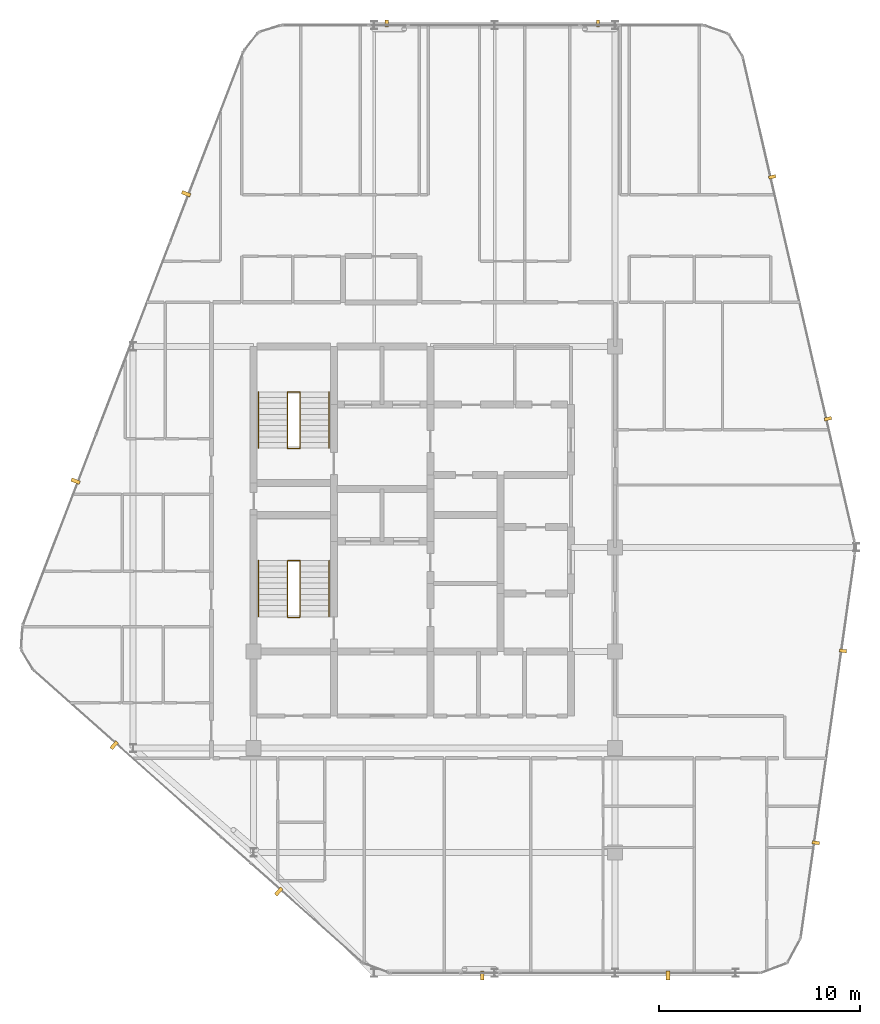
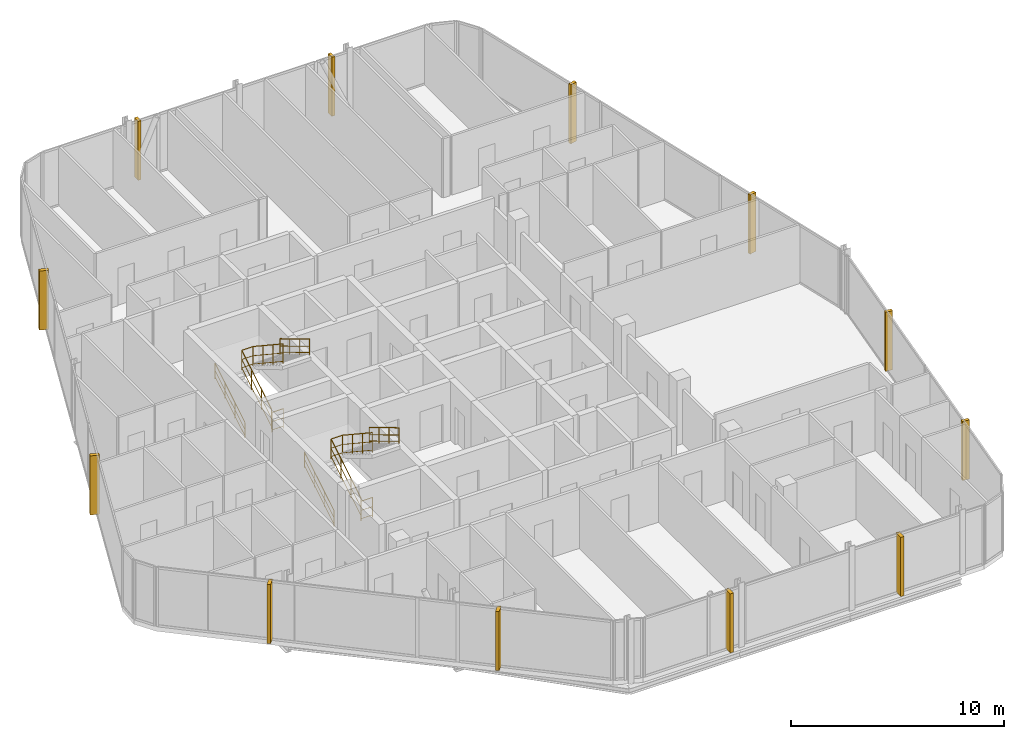
# One storey, part 27 of 27: 12 coverings, 8 railings.
"""IFC4 building model written with IfcOpenShell, lengths in metres."""

import ifcopenshell
import ifcopenshell.guid

model = None  # the IFC model being written
_history = None  # IfcOwnerHistory: only IFC2X3 demands one
_inside = {}  # id of a spatial element -> (the spatial element, [elements in it])
_under = {}  # id of a project, library or spatial element -> (it, [spatial elements below it])
_declared = {}  # id of a project -> (the project, [libraries it declares])
_typed = {}  # id of a type object -> (the type object, [elements of that type])
_made_of = {}  # id of a material, layer set ... -> (it, [elements and type objects made of it])


def new_model(schema):
    """Start an empty IFC model of exactly this schema.

    Asked for "IFC4X3", IfcOpenShell would pick the latest addendum, in which some entities
    have other attributes; the version numbers below select the first issue.
    IFC2X3 requires an IfcOwnerHistory on every rooted entity: one is made here for all.
    """
    global model, _history
    if schema == "IFC4X3":
        model = ifcopenshell.file(schema_version=(4, 3, 0, 0))
    else:
        model = ifcopenshell.file(schema=schema)
    _inside.clear()
    _under.clear()
    _declared.clear()
    _typed.clear()
    _made_of.clear()
    _history = None
    if model.schema == "IFC2X3":
        org = make("IfcOrganization", Name="unknown")
        user = make(
            "IfcPersonAndOrganization",
            ThePerson=make("IfcPerson", FamilyName="unknown"),
            TheOrganization=org,
        )
        app = make(
            "IfcApplication",
            ApplicationDeveloper=org,
            Version="unknown",
            ApplicationFullName="unknown",
            ApplicationIdentifier="unknown",
        )
        _history = make(
            "IfcOwnerHistory",
            OwningUser=user,
            OwningApplication=app,
            ChangeAction="ADDED",
            CreationDate=0,
        )
    return model


def make(cls, **values):
    """One entity of the class cls with the attributes given. An attribute that is None is left unset."""
    return model.create_entity(
        cls, **{name: value for name, value in values.items() if value is not None}
    )


def rooted(cls, **values):
    """An entity with a GlobalId (a new one), such as an element, a storey or a relation."""
    return make(cls, GlobalId=ifcopenshell.guid.new(), OwnerHistory=_history, **values)


def si_unit(unit_type, name, prefix=None):
    """IfcSIUnit, for example si_unit("LENGTHUNIT", "METRE", prefix="MILLI")."""
    return make("IfcSIUnit", UnitType=unit_type, Prefix=prefix, Name=name)


def assignment(units):
    """IfcUnitAssignment: the units of a project."""
    return None if units is None else make("IfcUnitAssignment", Units=units)


def point(xyz):
    """IfcCartesianPoint."""
    return None if xyz is None else make("IfcCartesianPoint", Coordinates=xyz)


def direction(xyz):
    """IfcDirection."""
    return None if xyz is None else make("IfcDirection", DirectionRatios=xyz)


def frame(location, z_axis=None, x_axis=None):
    """IfcAxis2Placement3D, a coordinate frame: its origin and axes. An axis left out is left unset."""
    return make(
        "IfcAxis2Placement3D",
        Location=point(location),
        Axis=direction(z_axis),
        RefDirection=direction(x_axis),
    )


def frame_2d(location, x_axis=None):
    """IfcAxis2Placement2D, a coordinate frame in the plane: its origin and x axis."""
    return make(
        "IfcAxis2Placement2D", Location=point(location), RefDirection=direction(x_axis)
    )


def origin():
    """The frame at (0, 0, 0) with its axes left unset."""
    return frame((0.0, 0.0, 0.0))


def origin_2d():
    """The frame at (0, 0) in the plane with its x axis left unset."""
    return frame_2d((0.0, 0.0))


def place(relative_to, where):
    """IfcLocalPlacement: puts the frame where relative to a parent placement (None: the world)."""
    return make(
        "IfcLocalPlacement", PlacementRelTo=relative_to, RelativePlacement=where
    )


def context(
    kind, dimensions, precision=None, world=None, true_north=None, identifier=None
):
    """IfcGeometricRepresentationContext, for example the 3D "Model" context."""
    return make(
        "IfcGeometricRepresentationContext",
        ContextIdentifier=identifier,
        ContextType=kind,
        CoordinateSpaceDimension=dimensions,
        Precision=precision,
        WorldCoordinateSystem=world,
        TrueNorth=true_north,
    )


def subcontext(parent, identifier, kind, view, scale=None):
    """IfcGeometricRepresentationSubContext, for example "Body" below "Model"."""
    return make(
        "IfcGeometricRepresentationSubContext",
        ContextIdentifier=identifier,
        ContextType=kind,
        ParentContext=parent,
        TargetScale=scale,
        TargetView=view,
    )


def project(units=None, contexts=None):
    """IfcProject with its units and contexts."""
    return rooted(
        "IfcProject",
        Name="project",
        RepresentationContexts=contexts,
        UnitsInContext=assignment(units),
    )


def spatial(cls, under=None, at=None, **own):
    """A site, building, storey or space (cls), placed at a placement, below another one or the project."""
    s = rooted(cls, ObjectPlacement=at, **own)
    if under is not None:
        _under.setdefault(under.id(), (under, []))[1].append(s)
    return s


def profile(cls, at=None, kind="AREA", **sizes):
    """A parametric profile (cls). Its sizes go by their IFC names, for example OverallWidth=200.0."""
    return make(cls, ProfileType=kind, Position=at, **sizes)


def rectangle(**sizes):
    """IfcRectangleProfileDef."""
    return profile("IfcRectangleProfileDef", **sizes)


def circle(**sizes):
    """IfcCircleProfileDef."""
    return profile("IfcCircleProfileDef", **sizes)


def extrude(swept, where, along, depth):
    """IfcExtrudedAreaSolid: the profile swept, set in the frame where, extruded along a direction by depth."""
    return make(
        "IfcExtrudedAreaSolid",
        SweptArea=swept,
        Position=where,
        ExtrudedDirection=direction(along),
        Depth=depth,
    )


def shape(context_of_items, identifier, shape_type, items):
    """IfcShapeRepresentation: the items that make up one representation, for example the "Body"."""
    return make(
        "IfcShapeRepresentation",
        ContextOfItems=context_of_items,
        RepresentationIdentifier=identifier,
        RepresentationType=shape_type,
        Items=items,
    )


def material(Name=None, Category=None):
    """IfcMaterial."""
    return make("IfcMaterial", Name=Name, Category=Category)


def layer(
    of_material, thickness, ventilated=None, Name=None, Category=None, Priority=None
):
    """IfcMaterialLayer: one layer of a wall or slab, of a material (None: an air gap)."""
    return make(
        "IfcMaterialLayer",
        Material=of_material,
        LayerThickness=thickness,
        IsVentilated=ventilated,
        Name=Name,
        Category=Category,
        Priority=Priority,
    )


def layer_set(layers, Name=None):
    """IfcMaterialLayerSet."""
    return make("IfcMaterialLayerSet", MaterialLayers=layers, LayerSetName=Name)


def made_of(thing, what):
    """Note that an element or type object is made of a material, layer set ...; save() writes the relation."""
    if what is not None:
        _made_of.setdefault(what.id(), (what, []))[1].append(thing)
    return thing


def type_object(cls, material=None, **own):
    """A type object (cls), such as IfcWallType, which elements share."""
    return made_of(rooted(cls, **own), material)


def element(
    cls,
    number,
    at=None,
    inside=None,
    cuts=None,
    type_object=None,
    material=None,
    context=None,
    identifier="Body",
    shape_type=None,
    held_by="IfcProductDefinitionShape",
    body=None,
    shapes=None,
    **own,
):
    """One element of the class cls, such as IfcWall. Its Tag is "e" and its number.

    at: its placement. inside: the storey or other place that contains it. cuts: it is an
    opening in that element (IfcRelVoidsElement). A single representation is given by context,
    identifier, shape_type and body (its items); several are given by shapes. held_by: the class
    of the entity that holds the representations. save() writes the other relations.
    """
    e = rooted(cls, Tag="e%d" % number, ObjectPlacement=at, **own)
    if body is not None:
        shapes = [shape(context, identifier, shape_type, body)]
    if shapes is not None:
        e.Representation = make(held_by, Representations=shapes)
    if inside is not None:
        _inside.setdefault(inside.id(), (inside, []))[1].append(e)
    if cuts is not None:
        rooted(
            "IfcRelVoidsElement", RelatingBuildingElement=cuts, RelatedOpeningElement=e
        )
    if type_object is not None:
        _typed.setdefault(type_object.id(), (type_object, []))[1].append(e)
    return made_of(e, material)


def aggregate(whole, parts):
    """IfcRelAggregates: a whole, such as a stair, and the parts it consists of."""
    return rooted("IfcRelAggregates", RelatingObject=whole, RelatedObjects=parts)


def save(model, path):
    """Write the relations noted so far, then the file.

    IfcRelAggregates (storeys below a building ...), IfcRelContainedInSpatialStructure (elements
    in a storey), IfcRelDefinesByType, IfcRelAssociatesMaterial and IfcRelDeclares: one each for
    every whole, place, type object, material and project.
    """
    for whole, parts in _under.values():
        aggregate(whole, parts)
    for where, things in _inside.values():
        rooted(
            "IfcRelContainedInSpatialStructure",
            RelatedElements=things,
            RelatingStructure=where,
        )
    for kind, things in _typed.values():
        rooted("IfcRelDefinesByType", RelatedObjects=things, RelatingType=kind)
    for what, things in _made_of.values():
        rooted("IfcRelAssociatesMaterial", RelatedObjects=things, RelatingMaterial=what)
    for by, libraries in _declared.values():
        rooted("IfcRelDeclares", RelatingContext=by, RelatedDefinitions=libraries)
    model.write(path)


model = new_model("IFC4")

# Units and contexts
model_context = context("Model", 3, precision=1e-05, world=origin(), true_north=direction((0.0, 1.0)))
body_context = subcontext(model_context, "Body", "Model", "MODEL_VIEW")
ifc_project = project(units=[si_unit("LENGTHUNIT", "METRE"), si_unit("AREAUNIT", "SQUARE_METRE"), si_unit("VOLUMEUNIT", "CUBIC_METRE"), si_unit("PLANEANGLEUNIT", "RADIAN"), si_unit("MASSUNIT", "GRAM", prefix="KILO")], contexts=[model_context])

# Site, building, storey
site_placement = place(None, origin())
site = spatial("IfcSite", under=ifc_project, at=site_placement, CompositionType="ELEMENT")
building_placement = place(site_placement, origin())
building = spatial("IfcBuilding", under=site, at=building_placement, Name="Keshet Zoharim Tower", CompositionType="ELEMENT")
storey_placement = place(building_placement, frame((0.0, 0.0, 273.199951171875)))
storey = spatial("IfcBuildingStorey", under=building, at=storey_placement, Name="L68", CompositionType="ELEMENT", Elevation=273.199951171875)

# Coverings
ifc_material_1 = material(Name="Concrete C50/60 precast", Category="concrete")
covering_type_1 = type_object("IfcCoveringType", Name="FIN-SOL-360", PredefinedType="CLADDING", material=ifc_material_1)
for number, where, z_axis, x_axis, name in (
    (1, (21.633056640625, 53.97998046875, 0.0), (0.0, 0.0, 1.0), (1.0, 0.0, 0.0), "L68 Vertical Precast Solar Fin 03"),
    (2, (32.14990234375, 53.97998046875, 0.0), (0.0, 0.0, 1.0), (1.0, 0.0, 0.0), "L68 Vertical Precast Solar Fin 04"),
    (3, (40.824951171875, 46.345947265625, 0.0), (0.0, 0.0, 1.0), (0.224829963294, -0.974398012932, 0.0), "L68 Vertical Precast Solar Fin 05"),
    (4, (43.60400390625, 34.302001953125, 0.0), (0.0, 0.0, 1.0), (0.224829963294, -0.974398012932, 0.0), "L68 Vertical Precast Solar Fin 06"),
    (5, (44.35107421875, 22.742919921875, 0.0), (0.0, 0.0, 1.0), (-0.140137464177, -0.990132057422, 0.0), "L68 Vertical Precast Solar Fin 07"),
    (6, (42.998046875, 13.18701171875, 0.0), (0.0, 0.0, 1.0), (-0.140137464177, -0.990132057422, 0.0), "L68 Vertical Precast Solar Fin 08"),
):
    element("IfcCovering", number, at=place(storey_placement, frame(where, z_axis=z_axis, x_axis=x_axis)), inside=storey, type_object=covering_type_1, Name=name, PredefinedType="CLADDING", context=body_context, shape_type="SweptSolid", body=[
        extrude(rectangle(XDim=0.159912109375, YDim=0.360107421875, at=origin_2d()), origin(), (0.0, 0.0, 1.0), 3.389892578125),
    ])
covering_type_2 = type_object("IfcCoveringType", Name="FIN-SOL-450", PredefinedType="CLADDING", material=ifc_material_1)
for number, where, z_axis, x_axis, name in (
    (7, (6.133056640625, 31.194091796875, 0.0), (0.0, 0.0, 1.0), (0.358990003907, 0.933341404361, 0.0), "L68 Vertical Precast Solar Fin 01"),
    (8, (11.637939453125, 45.507080078125, 0.0), (0.0, 0.0, 1.0), (0.358990003907, 0.933341404361, 0.0), "L68 Vertical Precast Solar Fin 02"),
    (9, (35.636962890625, 6.574951171875, 0.0), (0.0, 0.0, 1.0), (-1.0, 0.0, 0.0), "L68 Vertical Precast Solar Fin 09"),
    (10, (26.385986328125, 6.574951171875, 0.0), (0.0, 0.0, 1.0), (-1.0, 0.0, 0.0), "L68 Vertical Precast Solar Fin 10"),
    (11, (16.25, 10.7548828125, 0.0), (0.0, 0.0, 1.0), (-0.747411833563, 0.66436100958, 0.0), "L68 Vertical Precast Solar Fin 11"),
    (12, (8.051025390625, 18.04296875, 0.0), (0.0, 0.0, 1.0), (-0.747411833563, 0.66436100958, 0.0), "L68 Vertical Precast Solar Fin 12"),
):
    element("IfcCovering", number, at=place(storey_placement, frame(where, z_axis=z_axis, x_axis=x_axis)), inside=storey, type_object=covering_type_2, Name=name, PredefinedType="CLADDING", context=body_context, shape_type="SweptSolid", body=[
        extrude(rectangle(XDim=0.179931640625, YDim=0.449951171875, at=origin_2d()), origin(), (0.0, 0.0, 1.0), 3.389892578125),
    ])

# Railings
ifc_material_2 = material(Name="Steel S355", Category="steel")
ifc_layer_1 = layer(ifc_material_2, 0.050048828125)
ifc_layer_set_1 = layer_set([ifc_layer_1], Name="Steel S355")
railing_type_1 = type_object("IfcRailingType", Name="RL-HND-092", PredefinedType="HANDRAIL", material=ifc_layer_set_1)
railing_1_placement = place(storey_placement, frame((15.239990234375, 24.43994140625, 0.168212890625)))
element("IfcRailing", 13, at=railing_1_placement, inside=storey, type_object=railing_type_1, Name="L68 ST-01 Flight 1 Wall Handrail", PredefinedType="HANDRAIL", context=body_context, shape_type="SweptSolid", body=[
    extrude(circle(Radius=0.02392578125, at=origin_2d()), frame((0.0, 0.0, 0.89599609375), z_axis=(0.0, 0.857242210791, 0.514913383045), x_axis=(-1.0, 0.0, 0.0)), (0.0, 0.0, 1.0), 3.266357421875),
    extrude(circle(Radius=0.01611328125, at=origin_2d()), frame((0.0, 0.0, 0.478271484375), z_axis=(0.0, 0.857242210791, 0.514913383045), x_axis=(-1.0, 0.0, 0.0)), (0.0, 0.0, 1.0), 3.266357421875),
    extrude(circle(Radius=0.01611328125, at=origin_2d()), frame((0.0, 0.0, 0.1201171875), z_axis=(0.0, 0.857242210791, 0.514913383045), x_axis=(-1.0, 0.0, 0.0)), (0.0, 0.0, 1.0), 3.266357421875),
    extrude(circle(Radius=0.02099609375, at=origin_2d()), origin(), (0.0, 0.0, 1.0), 0.871826171875),
    extrude(circle(Radius=0.02099609375, at=origin_2d()), frame((0.0, 0.933349609375, 0.560546875)), (0.0, 0.0, 1.0), 0.871826171875),
    extrude(circle(Radius=0.02099609375, at=origin_2d()), frame((0.0, 1.86669921875, 1.121337890625)), (0.0, 0.0, 1.0), 0.871826171875),
    extrude(circle(Radius=0.02099609375, at=origin_2d()), frame((0.0, 2.800048828125, 1.681884765625)), (0.0, 0.0, 1.0), 0.871826171875),
])
railing_2_placement = place(storey_placement, frame((18.760009765625, 27.239990234375, 2.018310546875)))
element("IfcRailing", 14, at=railing_2_placement, inside=storey, type_object=railing_type_1, Name="L68 ST-01 Flight 2 Wall Handrail", PredefinedType="HANDRAIL", context=body_context, shape_type="SweptSolid", body=[
    extrude(circle(Radius=0.02392578125, at=origin_2d()), frame((0.0, 0.0, 0.89599609375), z_axis=(0.0, -0.857275202839, 0.514858452973), x_axis=(1.0, 0.0, 0.0)), (0.0, 0.0, 1.0), 3.26611328125),
    extrude(circle(Radius=0.01611328125, at=origin_2d()), frame((0.0, 0.0, 0.478271484375), z_axis=(0.0, -0.857275202839, 0.514858452973), x_axis=(1.0, 0.0, 0.0)), (0.0, 0.0, 1.0), 3.26611328125),
    extrude(circle(Radius=0.01611328125, at=origin_2d()), frame((0.0, 0.0, 0.1201171875), z_axis=(0.0, -0.857275202839, 0.514858452973), x_axis=(1.0, 0.0, 0.0)), (0.0, 0.0, 1.0), 3.26611328125),
    extrude(circle(Radius=0.02099609375, at=origin_2d()), origin(), (0.0, 0.0, 1.0), 0.871826171875),
    extrude(circle(Radius=0.02099609375, at=origin_2d()), frame((0.0, -0.933349609375, 0.560546875)), (0.0, 0.0, 1.0), 0.871826171875),
    extrude(circle(Radius=0.02099609375, at=origin_2d()), frame((0.0, -1.86669921875, 1.12109375)), (0.0, 0.0, 1.0), 0.871826171875),
    extrude(circle(Radius=0.02099609375, at=origin_2d()), frame((0.0, -2.800048828125, 1.681640625)), (0.0, 0.0, 1.0), 0.871826171875),
])
railing_3_placement = place(storey_placement, frame((15.239990234375, 32.840087890625, 0.168212890625)))
element("IfcRailing", 15, at=railing_3_placement, inside=storey, type_object=railing_type_1, Name="L68 ST-02 Flight 1 Wall Handrail", PredefinedType="HANDRAIL", context=body_context, shape_type="SweptSolid", body=[
    extrude(circle(Radius=0.02392578125, at=origin_2d()), frame((0.0, 0.0, 0.89599609375), z_axis=(0.0, 0.857222391501, 0.514946377315), x_axis=(-1.0, 0.0, 0.0)), (0.0, 0.0, 1.0), 3.26611328125),
    extrude(circle(Radius=0.01611328125, at=origin_2d()), frame((0.0, 0.0, 0.478271484375), z_axis=(0.0, 0.857222391501, 0.514946377315), x_axis=(-1.0, 0.0, 0.0)), (0.0, 0.0, 1.0), 3.26611328125),
    extrude(circle(Radius=0.01611328125, at=origin_2d()), frame((0.0, 0.0, 0.1201171875), z_axis=(0.0, 0.857222391501, 0.514946377315), x_axis=(-1.0, 0.0, 0.0)), (0.0, 0.0, 1.0), 3.26611328125),
    extrude(circle(Radius=0.02099609375, at=origin_2d()), origin(), (0.0, 0.0, 1.0), 0.871826171875),
    extrude(circle(Radius=0.02099609375, at=origin_2d()), frame((0.0, 0.933349609375, 0.560546875)), (0.0, 0.0, 1.0), 0.871826171875),
    extrude(circle(Radius=0.02099609375, at=origin_2d()), frame((0.0, 1.866455078125, 1.121337890625)), (0.0, 0.0, 1.0), 0.871826171875),
    extrude(circle(Radius=0.02099609375, at=origin_2d()), frame((0.0, 2.7998046875, 1.681884765625)), (0.0, 0.0, 1.0), 0.871826171875),
])
railing_4_placement = place(storey_placement, frame((18.760009765625, 35.639892578125, 2.018310546875)))
element("IfcRailing", 16, at=railing_4_placement, inside=storey, type_object=railing_type_1, Name="L68 ST-02 Flight 2 Wall Handrail", PredefinedType="HANDRAIL", context=body_context, shape_type="SweptSolid", body=[
    extrude(circle(Radius=0.02392578125, at=origin_2d()), frame((0.0, 0.0, 0.89599609375), z_axis=(0.0, -0.857255387014, 0.514891446264), x_axis=(1.0, 0.0, 0.0)), (0.0, 0.0, 1.0), 3.26611328125),
    extrude(circle(Radius=0.01611328125, at=origin_2d()), frame((0.0, 0.0, 0.478271484375), z_axis=(0.0, -0.857255387014, 0.514891446264), x_axis=(1.0, 0.0, 0.0)), (0.0, 0.0, 1.0), 3.26611328125),
    extrude(circle(Radius=0.01611328125, at=origin_2d()), frame((0.0, 0.0, 0.1201171875), z_axis=(0.0, -0.857255387014, 0.514891446264), x_axis=(1.0, 0.0, 0.0)), (0.0, 0.0, 1.0), 3.26611328125),
    extrude(circle(Radius=0.02099609375, at=origin_2d()), origin(), (0.0, 0.0, 1.0), 0.871826171875),
    extrude(circle(Radius=0.02099609375, at=origin_2d()), frame((0.0, -0.933349609375, 0.560546875)), (0.0, 0.0, 1.0), 0.871826171875),
    extrude(circle(Radius=0.02099609375, at=origin_2d()), frame((0.0, -1.866455078125, 1.12109375)), (0.0, 0.0, 1.0), 0.871826171875),
    extrude(circle(Radius=0.02099609375, at=origin_2d()), frame((0.0, -2.7998046875, 1.681640625)), (0.0, 0.0, 1.0), 0.871826171875),
])
ifc_layer_2 = layer(ifc_material_2, 0.06005859375)
ifc_layer_set_2 = layer_set([ifc_layer_2], Name="Steel S355")
railing_type_2 = type_object("IfcRailingType", Name="RL-STG-115", PredefinedType="GUARDRAIL", material=ifc_layer_set_2)
railing_5_placement = place(storey_placement, frame((16.68994140625, 24.43994140625, 0.168212890625)))
element("IfcRailing", 17, at=railing_5_placement, inside=storey, type_object=railing_type_2, Name="L68 ST-01 Inner Well Guardrail", PredefinedType="GUARDRAIL", context=body_context, shape_type="SweptSolid", body=[
    extrude(circle(Radius=0.02392578125, at=origin_2d()), frame((0.0, 0.0, 1.1259765625), z_axis=(0.0, 0.857242210791, 0.514913383045), x_axis=(-1.0, 0.0, 0.0)), (0.0, 0.0, 1.0), 3.266357421875),
    extrude(circle(Radius=0.01611328125, at=origin_2d()), frame((0.0, 0.0, 0.597900390625), z_axis=(0.0, 0.857242210791, 0.514913383045), x_axis=(-1.0, 0.0, 0.0)), (0.0, 0.0, 1.0), 3.266357421875),
    extrude(circle(Radius=0.01611328125, at=origin_2d()), frame((0.0, 0.0, 0.1201171875), z_axis=(0.0, 0.857242210791, 0.514913383045), x_axis=(-1.0, 0.0, 0.0)), (0.0, 0.0, 1.0), 3.266357421875),
    extrude(circle(Radius=0.02392578125, at=origin_2d()), frame((0.0, 2.800048828125, 2.8076171875), z_axis=(1.0, 0.0, 0.0), x_axis=(0.0, 1.0, 0.0)), (0.0, 0.0, 1.0), 0.6201171875),
    extrude(circle(Radius=0.01611328125, at=origin_2d()), frame((0.0, 2.800048828125, 2.27978515625), z_axis=(1.0, 0.0, 0.0), x_axis=(0.0, 1.0, 0.0)), (0.0, 0.0, 1.0), 0.6201171875),
    extrude(circle(Radius=0.01611328125, at=origin_2d()), frame((0.0, 2.800048828125, 1.802001953125), z_axis=(1.0, 0.0, 0.0), x_axis=(0.0, 1.0, 0.0)), (0.0, 0.0, 1.0), 0.6201171875),
    extrude(circle(Radius=0.02392578125, at=origin_2d()), frame((0.6201171875, 2.800048828125, 2.8076171875), z_axis=(0.0, -0.83435981716, 0.551220187865), x_axis=(1.0, 0.0, 0.0)), (0.0, 0.0, 1.0), 3.35595703125),
    extrude(circle(Radius=0.01611328125, at=origin_2d()), frame((0.6201171875, 2.800048828125, 2.27978515625), z_axis=(0.0, -0.83435981716, 0.551220187865), x_axis=(1.0, 0.0, 0.0)), (0.0, 0.0, 1.0), 3.35595703125),
    extrude(circle(Radius=0.01611328125, at=origin_2d()), frame((0.6201171875, 2.800048828125, 1.802001953125), z_axis=(0.0, -0.83435981716, 0.551220187865), x_axis=(1.0, 0.0, 0.0)), (0.0, 0.0, 1.0), 3.35595703125),
    extrude(circle(Radius=0.02099609375, at=origin_2d()), origin(), (0.0, 0.0, 1.0), 1.101806640625),
    extrude(circle(Radius=0.02099609375, at=origin_2d()), frame((0.0, 0.933349609375, 0.560546875)), (0.0, 0.0, 1.0), 1.101806640625),
    extrude(circle(Radius=0.02099609375, at=origin_2d()), frame((0.0, 1.86669921875, 1.121337890625)), (0.0, 0.0, 1.0), 1.101806640625),
    extrude(circle(Radius=0.02099609375, at=origin_2d()), frame((0.0, 2.800048828125, 1.681884765625)), (0.0, 0.0, 1.0), 1.101806640625),
    extrude(circle(Radius=0.02099609375, at=origin_2d()), frame((0.6201171875, 2.800048828125, 1.681884765625)), (0.0, 0.0, 1.0), 1.101806640625),
    extrude(circle(Radius=0.02099609375, at=origin_2d()), frame((0.6201171875, 1.86669921875, 2.298583984375)), (0.0, 0.0, 1.0), 1.101806640625),
    extrude(circle(Radius=0.02099609375, at=origin_2d()), frame((0.6201171875, 0.933349609375, 2.9150390625)), (0.0, 0.0, 1.0), 1.101806640625),
    extrude(circle(Radius=0.02099609375, at=origin_2d()), frame((0.6201171875, 0.0, 3.53173828125)), (0.0, 0.0, 1.0), 1.101806640625),
])
railing_6_placement = place(storey_placement, frame((16.68994140625, 24.409912109375, 0.0)))
element("IfcRailing", 18, at=railing_6_placement, inside=storey, type_object=railing_type_2, Name="L68 ST-01 Stairwell Floor Guardrail", PredefinedType="GUARDRAIL", context=body_context, shape_type="SweptSolid", body=[
    extrude(circle(Radius=0.02392578125, at=origin_2d()), frame((0.0, 0.0, 1.1259765625), z_axis=(1.0, 0.0, 0.0), x_axis=(0.0, 1.0, 0.0)), (0.0, 0.0, 1.0), 0.6201171875),
    extrude(circle(Radius=0.01611328125, at=origin_2d()), frame((0.0, 0.0, 0.597900390625), z_axis=(1.0, 0.0, 0.0), x_axis=(0.0, 1.0, 0.0)), (0.0, 0.0, 1.0), 0.6201171875),
    extrude(circle(Radius=0.01611328125, at=origin_2d()), frame((0.0, 0.0, 0.1201171875), z_axis=(1.0, 0.0, 0.0), x_axis=(0.0, 1.0, 0.0)), (0.0, 0.0, 1.0), 0.6201171875),
    extrude(circle(Radius=0.02099609375, at=origin_2d()), origin(), (0.0, 0.0, 1.0), 1.101806640625),
    extrude(circle(Radius=0.02099609375, at=origin_2d()), frame((0.6201171875, 0.0, 0.0)), (0.0, 0.0, 1.0), 1.101806640625),
])
railing_7_placement = place(storey_placement, frame((16.68994140625, 32.840087890625, 0.168212890625)))
element("IfcRailing", 19, at=railing_7_placement, inside=storey, type_object=railing_type_2, Name="L68 ST-02 Inner Well Guardrail", PredefinedType="GUARDRAIL", context=body_context, shape_type="SweptSolid", body=[
    extrude(circle(Radius=0.02392578125, at=origin_2d()), frame((0.0, 0.0, 1.1259765625), z_axis=(0.0, 0.857222391501, 0.514946377315), x_axis=(-1.0, 0.0, 0.0)), (0.0, 0.0, 1.0), 3.26611328125),
    extrude(circle(Radius=0.01611328125, at=origin_2d()), frame((0.0, 0.0, 0.597900390625), z_axis=(0.0, 0.857222391501, 0.514946377315), x_axis=(-1.0, 0.0, 0.0)), (0.0, 0.0, 1.0), 3.26611328125),
    extrude(circle(Radius=0.01611328125, at=origin_2d()), frame((0.0, 0.0, 0.1201171875), z_axis=(0.0, 0.857222391501, 0.514946377315), x_axis=(-1.0, 0.0, 0.0)), (0.0, 0.0, 1.0), 3.26611328125),
    extrude(circle(Radius=0.02392578125, at=origin_2d()), frame((0.0, 2.7998046875, 2.8076171875), z_axis=(1.0, 0.0, 0.0), x_axis=(0.0, 1.0, 0.0)), (0.0, 0.0, 1.0), 0.6201171875),
    extrude(circle(Radius=0.01611328125, at=origin_2d()), frame((0.0, 2.7998046875, 2.27978515625), z_axis=(1.0, 0.0, 0.0), x_axis=(0.0, 1.0, 0.0)), (0.0, 0.0, 1.0), 0.6201171875),
    extrude(circle(Radius=0.01611328125, at=origin_2d()), frame((0.0, 2.7998046875, 1.802001953125), z_axis=(1.0, 0.0, 0.0), x_axis=(0.0, 1.0, 0.0)), (0.0, 0.0, 1.0), 0.6201171875),
    extrude(circle(Radius=0.02392578125, at=origin_2d()), frame((0.6201171875, 2.7998046875, 2.8076171875), z_axis=(0.0, -0.834337710781, 0.551253647941), x_axis=(1.0, 0.0, 0.0)), (0.0, 0.0, 1.0), 3.355712890625),
    extrude(circle(Radius=0.01611328125, at=origin_2d()), frame((0.6201171875, 2.7998046875, 2.27978515625), z_axis=(0.0, -0.834337710781, 0.551253647941), x_axis=(1.0, 0.0, 0.0)), (0.0, 0.0, 1.0), 3.355712890625),
    extrude(circle(Radius=0.01611328125, at=origin_2d()), frame((0.6201171875, 2.7998046875, 1.802001953125), z_axis=(0.0, -0.834337710781, 0.551253647941), x_axis=(1.0, 0.0, 0.0)), (0.0, 0.0, 1.0), 3.355712890625),
    extrude(circle(Radius=0.02099609375, at=origin_2d()), origin(), (0.0, 0.0, 1.0), 1.101806640625),
    extrude(circle(Radius=0.02099609375, at=origin_2d()), frame((0.0, 0.933349609375, 0.560546875)), (0.0, 0.0, 1.0), 1.101806640625),
    extrude(circle(Radius=0.02099609375, at=origin_2d()), frame((0.0, 1.866455078125, 1.121337890625)), (0.0, 0.0, 1.0), 1.101806640625),
    extrude(circle(Radius=0.02099609375, at=origin_2d()), frame((0.0, 2.7998046875, 1.681884765625)), (0.0, 0.0, 1.0), 1.101806640625),
    extrude(circle(Radius=0.02099609375, at=origin_2d()), frame((0.6201171875, 2.7998046875, 1.681884765625)), (0.0, 0.0, 1.0), 1.101806640625),
    extrude(circle(Radius=0.02099609375, at=origin_2d()), frame((0.6201171875, 1.866455078125, 2.298583984375)), (0.0, 0.0, 1.0), 1.101806640625),
    extrude(circle(Radius=0.02099609375, at=origin_2d()), frame((0.6201171875, 0.933349609375, 2.9150390625)), (0.0, 0.0, 1.0), 1.101806640625),
    extrude(circle(Radius=0.02099609375, at=origin_2d()), frame((0.6201171875, 0.0, 3.53173828125)), (0.0, 0.0, 1.0), 1.101806640625),
])
railing_8_placement = place(storey_placement, frame((16.68994140625, 32.81005859375, 0.0)))
element("IfcRailing", 20, at=railing_8_placement, inside=storey, type_object=railing_type_2, Name="L68 ST-02 Stairwell Floor Guardrail", PredefinedType="GUARDRAIL", context=body_context, shape_type="SweptSolid", body=[
    extrude(circle(Radius=0.02392578125, at=origin_2d()), frame((0.0, 0.0, 1.1259765625), z_axis=(1.0, 0.0, 0.0), x_axis=(0.0, 1.0, 0.0)), (0.0, 0.0, 1.0), 0.6201171875),
    extrude(circle(Radius=0.01611328125, at=origin_2d()), frame((0.0, 0.0, 0.597900390625), z_axis=(1.0, 0.0, 0.0), x_axis=(0.0, 1.0, 0.0)), (0.0, 0.0, 1.0), 0.6201171875),
    extrude(circle(Radius=0.01611328125, at=origin_2d()), frame((0.0, 0.0, 0.1201171875), z_axis=(1.0, 0.0, 0.0), x_axis=(0.0, 1.0, 0.0)), (0.0, 0.0, 1.0), 0.6201171875),
    extrude(circle(Radius=0.02099609375, at=origin_2d()), origin(), (0.0, 0.0, 1.0), 1.101806640625),
    extrude(circle(Radius=0.02099609375, at=origin_2d()), frame((0.6201171875, 0.0, 0.0)), (0.0, 0.0, 1.0), 1.101806640625),
])

save(model, "model.ifc")
